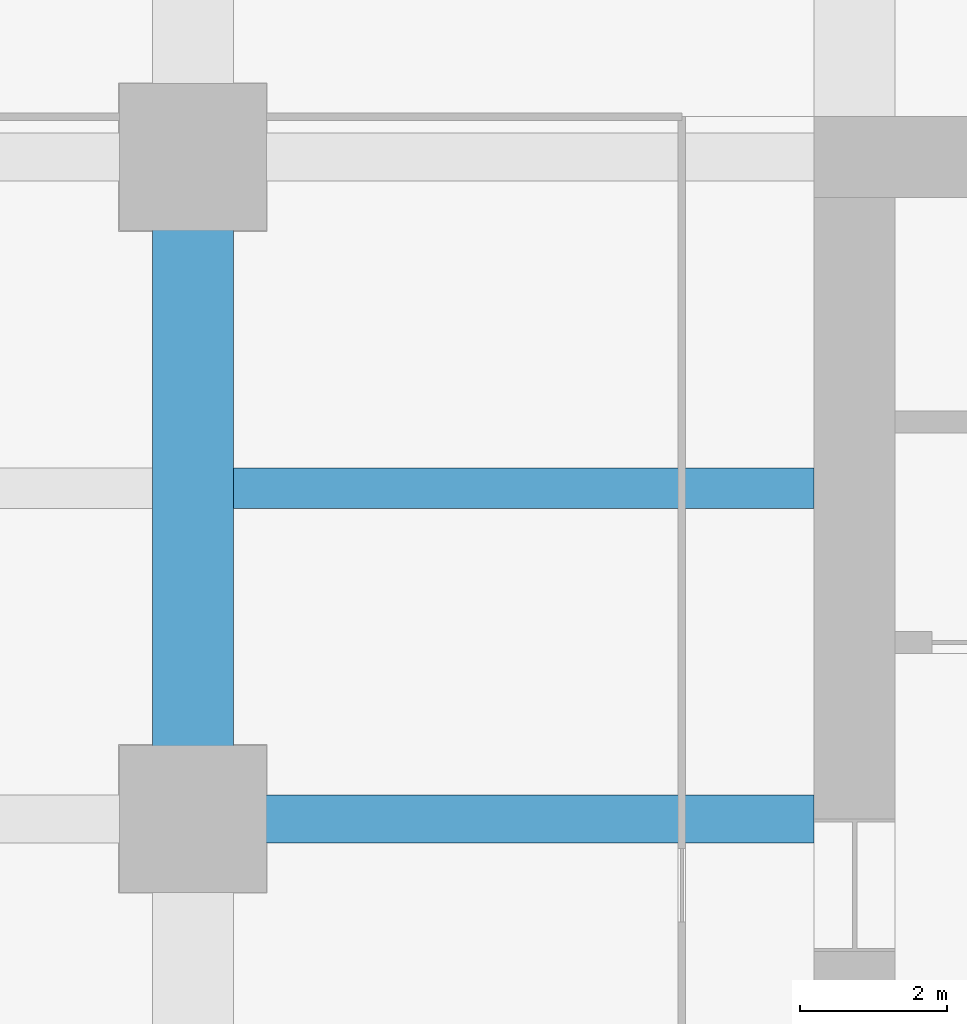
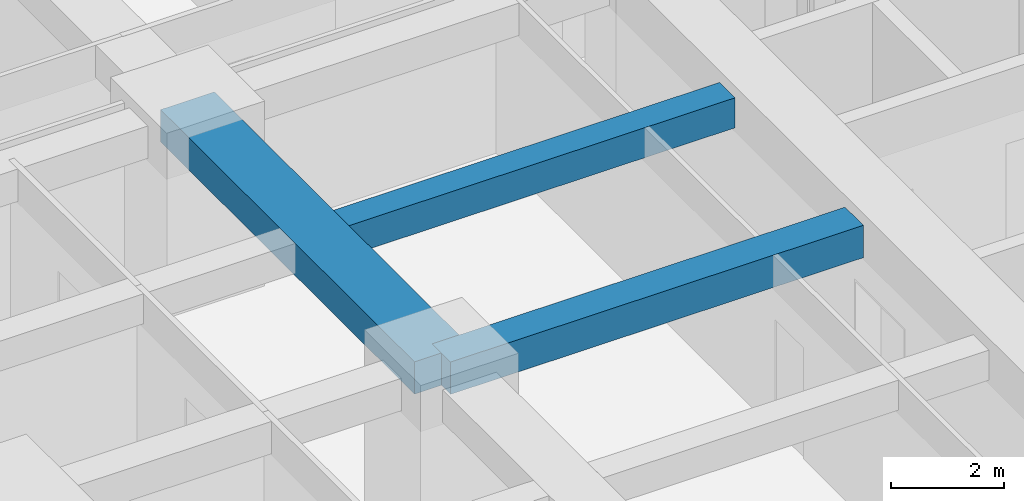
# One storey, part 12 of 41: 3 beams.
"""IFC4 building model written with IfcOpenShell, lengths in metres."""

from ifc_helpers import new_model, si_unit, direction, frame, origin, origin_2d, place, context, subcontext, project, spatial, rectangle, extrude, material, material_profile, profile_set, type_object, element, save


model = new_model("IFC4")

# Units and contexts
model_context = context("Model", 3, precision=1e-05, world=origin(), true_north=direction((0.0, 1.0)))
body_context = subcontext(model_context, "Body", "Model", "MODEL_VIEW")
ifc_project = project(units=[si_unit("LENGTHUNIT", "METRE"), si_unit("AREAUNIT", "SQUARE_METRE"), si_unit("VOLUMEUNIT", "CUBIC_METRE"), si_unit("PLANEANGLEUNIT", "RADIAN"), si_unit("MASSUNIT", "GRAM", prefix="KILO")], contexts=[model_context])

# Site, building, storey
site_placement = place(None, origin())
site = spatial("IfcSite", under=ifc_project, at=site_placement, CompositionType="ELEMENT")
building_placement = place(site_placement, origin())
building = spatial("IfcBuilding", under=site, at=building_placement, Name="Zorevar Civic Tower", CompositionType="ELEMENT")
storey_placement = place(building_placement, frame((0.0, 0.0, 109.0)))
storey = spatial("IfcBuildingStorey", under=building, at=storey_placement, Name="L26", CompositionType="ELEMENT", Elevation=109.0)

# Beams
ifc_material_1 = material(Name="Concrete C50/60", Category="concrete")
ifc_material_profile_1 = material_profile(ifc_material_1, rectangle(XDim=1.10009765625, YDim=0.699951171875, at=origin_2d()), Name="RC 1100x700")
ifc_profile_set_1 = profile_set([ifc_material_profile_1], Name="Concrete C50/60")
beam_type_1 = type_object("IfcBeamType", Name="Beam RC 1100x700", PredefinedType="BEAM", material=ifc_profile_set_1)
beam_1_placement = place(storey_placement, frame((9.0, 27.0, 3.39990234375), z_axis=(0.0, 1.0, 0.0), x_axis=(-1.0, 0.0, 0.0)))
element("IfcBeam", 1, at=beam_1_placement, inside=storey, type_object=beam_type_1, Name="Girder L27", PredefinedType="BEAM", context=body_context, shape_type="SweptSolid", body=[
    extrude(rectangle(XDim=1.10009765625, YDim=0.699951171875, at=origin_2d()), origin(), (0.0, 0.0, 1.0), 9.0),
])
ifc_material_2 = material(Name="Concrete C50/60", Category="concrete")
ifc_material_profile_2 = material_profile(ifc_material_2, rectangle(XDim=0.550048828125, YDim=0.64990234375, at=origin_2d()), Name="RC 550x650")
ifc_profile_set_2 = profile_set([ifc_material_profile_2], Name="Concrete C50/60")
beam_type_2 = type_object("IfcBeamType", Name="Beam RC 550x650", PredefinedType="BEAM", material=ifc_profile_set_2)
beam_2_placement = place(storey_placement, frame((9.550048828125, 31.5, 3.425048828125), z_axis=(1.0, 0.0, 0.0), x_axis=(0.0, 1.0, 0.0)))
element("IfcBeam", 2, at=beam_2_placement, inside=storey, type_object=beam_type_2, Name="Secondary beam L27", PredefinedType="BEAM", context=body_context, shape_type="SweptSolid", body=[
    extrude(rectangle(XDim=0.550048828125, YDim=0.64990234375, at=origin_2d()), origin(), (0.0, 0.0, 1.0), 7.89990234375),
])
ifc_material_3 = material(Name="Concrete C50/60", Category="concrete")
ifc_material_profile_3 = material_profile(ifc_material_3, rectangle(XDim=0.64990234375, YDim=0.699951171875, at=origin_2d()), Name="RC 650x700")
ifc_profile_set_3 = profile_set([ifc_material_profile_3], Name="Concrete C50/60")
beam_type_3 = type_object("IfcBeamType", Name="Beam RC 650x700", PredefinedType="BEAM", material=ifc_profile_set_3)
beam_3_placement = place(storey_placement, frame((9.0, 27.0, 3.39990234375), z_axis=(1.0, 0.0, 0.0), x_axis=(0.0, 1.0, 0.0)))
element("IfcBeam", 3, at=beam_3_placement, inside=storey, type_object=beam_type_3, Name="Girder L27", PredefinedType="BEAM", context=body_context, shape_type="SweptSolid", body=[
    extrude(rectangle(XDim=0.64990234375, YDim=0.699951171875, at=origin_2d()), origin(), (0.0, 0.0, 1.0), 8.449951171875),
])

save(model, "model.ifc")
